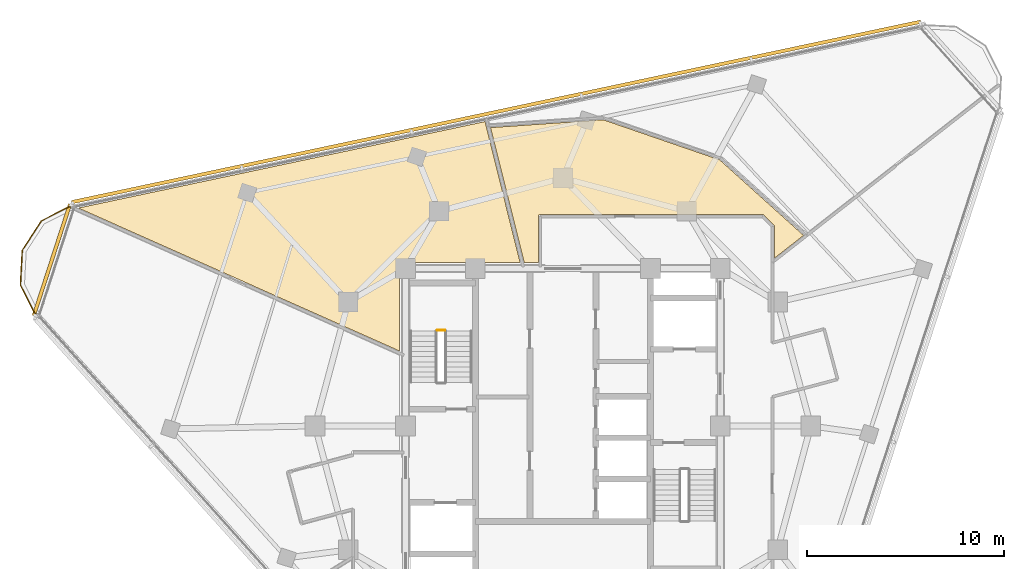
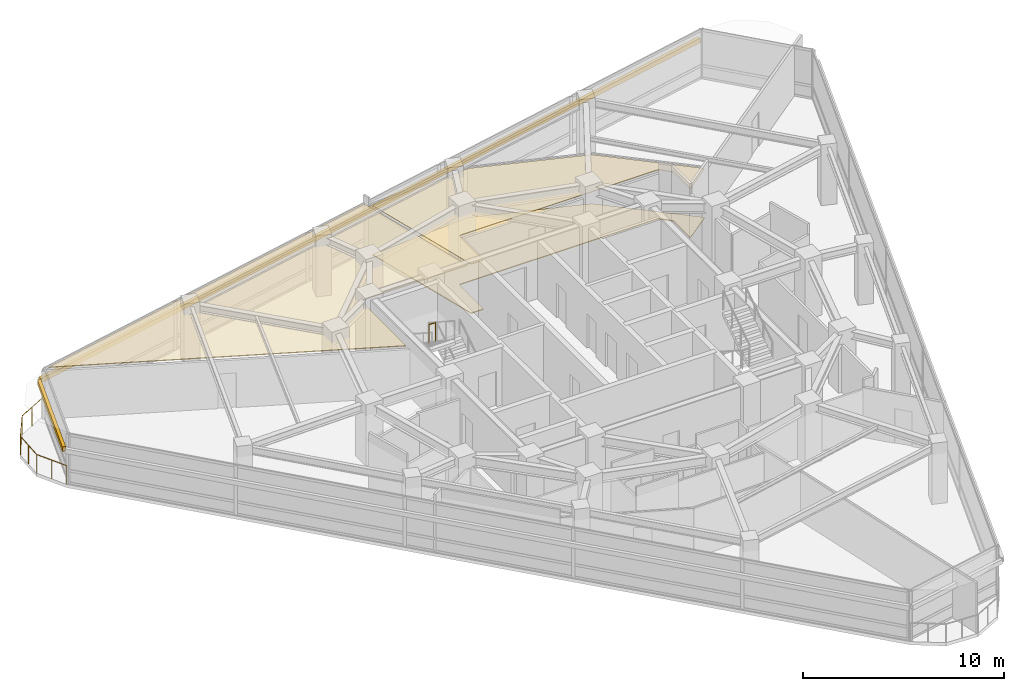
# One storey, part 14 of 15: 3 coverings, 2 railings, 2 shading devices.
"""IFC4 building model written with IfcOpenShell, lengths in metres."""

from ifc_helpers import new_model, si_unit, direction, frame, origin, origin_2d, place, context, subcontext, project, spatial, polyline, rectangle, circle, outline, extrude, material, layer, layer_set, type_object, element, save


model = new_model("IFC4")

# Units and contexts
model_context = context("Model", 3, precision=1e-05, world=origin(), true_north=direction((0.0, 1.0)))
body_context = subcontext(model_context, "Body", "Model", "MODEL_VIEW")
ifc_project = project(units=[si_unit("LENGTHUNIT", "METRE"), si_unit("AREAUNIT", "SQUARE_METRE"), si_unit("VOLUMEUNIT", "CUBIC_METRE"), si_unit("PLANEANGLEUNIT", "RADIAN"), si_unit("MASSUNIT", "GRAM", prefix="KILO")], contexts=[model_context])

# Site, building, storey
site_placement = place(None, origin())
site = spatial("IfcSite", under=ifc_project, at=site_placement, CompositionType="ELEMENT")
building_placement = place(site_placement, origin())
building = spatial("IfcBuilding", under=site, at=building_placement, Name="Terralouvre Media Tower", CompositionType="ELEMENT")
storey_placement = place(building_placement, frame((0.0, 0.0, 283.199951171875)))
storey = spatial("IfcBuildingStorey", under=building, at=storey_placement, Name="L73", CompositionType="ELEMENT", Elevation=283.199951171875)

# Coverings
ifc_material_1 = material(Name="Resilient elastomer acoustic broadcast studio flooring")
ifc_layer_1 = layer(ifc_material_1, 0.050048828125, Name="Broadcast Studio Acoustic Floating Floor FL-AC1")
ifc_layer_set_1 = layer_set([ifc_layer_1], Name="Resilient elastomer acoustic broadcast studio flooring")
covering_type_1 = type_object("IfcCoveringType", Name="Broadcast Studio Acoustic Floating Floor FL-AC1", PredefinedType="FLOORING", material=ifc_layer_set_1)
covering_1_placement = place(storey_placement, frame((0.0, 0.0, 0.0), z_axis=(0.0, 0.0, 1.0), x_axis=(0.309016994375, 0.951056516295, 0.0)))
element("IfcCovering", 1, at=covering_1_placement, inside=storey, type_object=covering_type_1, Name="L73 Media Reference Library 7 Acoustic Floating Floor", PredefinedType="FLOORING", context=body_context, shape_type="SweptSolid", body=[
    extrude(outline(polyline([(9.751953125, 4.482421875), (9.76171875, 4.484130859375), (9.771484375, 4.484619140625), (9.78125, 4.484375), (9.791015625, 4.483154296875), (9.800537109375, 4.48095703125), (9.809814453125, 4.477783203125), (9.81884765625, 4.473876953125), (9.827392578125, 4.468994140625), (9.835205078125, 4.46337890625), (9.8427734375, 4.456787109375), (9.849365234375, 4.44970703125), (9.85546875, 4.44189453125), (9.860595703125, 4.43359375), (9.864990234375, 4.4248046875), (9.868408203125, 4.41552734375), (13.3603515625, -6.331298828125), (13.363037109375, -6.3408203125), (13.364501953125, -6.350341796875), (13.365234375, -6.360107421875), (13.364990234375, -6.3701171875), (13.36376953125, -6.379638671875), (13.361572265625, -6.389404296875), (13.3583984375, -6.398681640625), (13.354248046875, -6.407470703125), (13.033447265625, -7.03759765625), (13.0283203125, -7.046142578125), (13.022705078125, -7.05419921875), (13.016357421875, -7.0615234375), (13.00927734375, -7.068359375), (13.00146484375, -7.07421875), (12.9931640625, -7.07958984375), (12.984375, -7.083740234375), (12.97509765625, -7.08740234375), (11.4306640625, -7.589111328125), (12.990966796875, -8.64208984375), (15.326171875, -3.3974609375), (15.43505859375, 2.861083984375), (13.28515625, 8.182861328125), (7.294921875, 4.4404296875), (7.51708984375, 3.7568359375), (9.742431640625, 4.479736328125), (9.751953125, 4.482421875)])), origin(), (0.0, 0.0, 1.0), 0.050048828125),
])
ifc_material_2 = material(Name="Perforated aluminium acoustic ceiling baffle", Category="aluminium")
ifc_layer_2 = layer(ifc_material_2, 0.0400390625, Name="Perforated Acoustic Metal Tile Ceiling CL-AC1")
ifc_layer_set_2 = layer_set([ifc_layer_2], Name="Perforated aluminium acoustic ceiling baffle")
covering_type_2 = type_object("IfcCoveringType", Name="Perforated Acoustic Metal Tile Ceiling CL-AC1", PredefinedType="CEILING", material=ifc_layer_set_2)
covering_2_placement = place(storey_placement, frame((0.0, 0.0, 2.97998046875), z_axis=(0.0, 0.0, 1.0), x_axis=(0.309016994375, 0.951056516295, 0.0)))
element("IfcCovering", 2, at=covering_2_placement, inside=storey, type_object=covering_type_2, Name="L73 Media Reference Library 7 Acoustic Ceiling", PredefinedType="CEILING", context=body_context, shape_type="SweptSolid", body=[
    extrude(outline(polyline([(9.751953125, 4.482421875), (9.76171875, 4.484130859375), (9.771484375, 4.484619140625), (9.78125, 4.484375), (9.791015625, 4.483154296875), (9.800537109375, 4.48095703125), (9.809814453125, 4.477783203125), (9.81884765625, 4.473876953125), (9.827392578125, 4.468994140625), (9.835205078125, 4.46337890625), (9.8427734375, 4.456787109375), (9.849365234375, 4.44970703125), (9.85546875, 4.44189453125), (9.860595703125, 4.43359375), (9.864990234375, 4.4248046875), (9.868408203125, 4.41552734375), (13.3603515625, -6.331298828125), (13.363037109375, -6.3408203125), (13.364501953125, -6.350341796875), (13.365234375, -6.360107421875), (13.364990234375, -6.3701171875), (13.36376953125, -6.379638671875), (13.361572265625, -6.389404296875), (13.3583984375, -6.398681640625), (13.354248046875, -6.407470703125), (13.033447265625, -7.03759765625), (13.0283203125, -7.046142578125), (13.022705078125, -7.05419921875), (13.016357421875, -7.0615234375), (13.00927734375, -7.068359375), (13.00146484375, -7.07421875), (12.9931640625, -7.07958984375), (12.984375, -7.083740234375), (12.97509765625, -7.08740234375), (11.4306640625, -7.589111328125), (12.990966796875, -8.64208984375), (15.326171875, -3.3974609375), (15.43505859375, 2.861083984375), (13.28515625, 8.182861328125), (7.294921875, 4.4404296875), (7.51708984375, 3.7568359375), (9.742431640625, 4.479736328125), (9.751953125, 4.482421875)])), origin(), (0.0, 0.0, 1.0), 0.0400390625),
])
covering_3_placement = place(storey_placement, frame((0.0, 0.0, 2.97998046875), z_axis=(0.0, 0.0, 1.0), x_axis=(0.309016994375, 0.951056516295, 0.0)))
element("IfcCovering", 3, at=covering_3_placement, inside=storey, type_object=covering_type_2, Name="L73 Periodicals Reading Club 8 Acoustic Ceiling", PredefinedType="CEILING", context=body_context, shape_type="SweptSolid", body=[
    extrude(outline(polyline([(1.0546875, 9.080322265625), (5.240234375, 10.4404296875), (5.249755859375, 10.44287109375), (5.25927734375, 10.444580078125), (5.26904296875, 10.445068359375), (5.279052734375, 10.44482421875), (5.28857421875, 10.443603515625), (5.29833984375, 10.44140625), (5.3076171875, 10.438232421875), (5.316650390625, 10.434326171875), (5.324951171875, 10.429443359375), (5.3330078125, 10.423828125), (5.340576171875, 10.417236328125), (5.34716796875, 10.41015625), (5.353271484375, 10.40234375), (5.3583984375, 10.39404296875), (5.36279296875, 10.38525390625), (5.3662109375, 10.376220703125), (7.231201171875, 4.636474609375), (13.280029296875, 8.415771484375), (13.489990234375, 8.547607421875), (2.922607421875, 26.850341796875), (1.0546875, 9.080322265625)])), origin(), (0.0, 0.0, 1.0), 0.0400390625),
])

# Railings
ifc_material_3 = material(Name="Stainless steel 316 handrail and balustrade", Category="steel")
ifc_layer_3 = layer(ifc_material_3, 0.06005859375, Name="Roof Edge Safety Guardrail GR-ROOF1")
ifc_layer_set_3 = layer_set([ifc_layer_3], Name="Stainless steel 316 handrail and balustrade")
railing_type_1 = type_object("IfcRailingType", Name="Roof Edge Safety Guardrail GR-ROOF1", PredefinedType="GUARDRAIL", material=ifc_layer_set_3)
railing_1_placement = place(storey_placement, frame((-24.927490234375, 11.230224609375, 0.0)))
element("IfcRailing", 4, at=railing_1_placement, inside=storey, type_object=railing_type_1, Name="L73 Wind-Corner Perimeter Safety Guardrail C2", PredefinedType="GUARDRAIL", context=body_context, shape_type="SweptSolid", body=[
    extrude(circle(Radius=0.02099609375, at=origin_2d()), frame((0.0, 0.0, 1.12890625), z_axis=(-0.891111697267, -0.453784026817, 0.0), x_axis=(0.453784026817, -0.891111697267, 0.0)), (0.0, 0.0, 1.0), 1.7802734375),
    extrude(circle(Radius=0.02099609375, at=origin_2d()), frame((-1.58642578125, -0.807861328125, 1.12890625), z_axis=(-0.544752056661, -0.838597160002, 0.0), x_axis=(0.838597160002, -0.544752056661, 0.0)), (0.0, 0.0, 1.0), 1.77978515625),
    extrude(circle(Radius=0.02099609375, at=origin_2d()), frame((-2.555908203125, -2.30029296875, 1.12890625), z_axis=(-0.052126837836, -0.998640472231, 0.0), x_axis=(0.998640472231, -0.052126837836, 0.0)), (0.0, 0.0, 1.0), 1.77978515625),
    extrude(circle(Radius=0.02099609375, at=origin_2d()), frame((-2.648681640625, -4.07763671875, 1.12890625), z_axis=(0.454221597143, -0.890888736425, 0.0), x_axis=(0.890888736425, 0.454221597143, 0.0)), (0.0, 0.0, 1.0), 1.7802734375),
    extrude(circle(Radius=0.01904296875, at=origin_2d()), origin(), (0.0, 0.0, 1.0), 1.10791015625),
    extrude(circle(Radius=0.01904296875, at=origin_2d()), frame((-0.793212890625, -0.40380859375, 0.0)), (0.0, 0.0, 1.0), 1.10791015625),
    extrude(circle(Radius=0.01904296875, at=origin_2d()), frame((-1.58642578125, -0.807861328125, 0.0)), (0.0, 0.0, 1.0), 1.10791015625),
    extrude(circle(Radius=0.01904296875, at=origin_2d()), frame((-2.0712890625, -1.55419921875, 0.0)), (0.0, 0.0, 1.0), 1.10791015625),
    extrude(circle(Radius=0.01904296875, at=origin_2d()), frame((-2.555908203125, -2.30029296875, 0.0)), (0.0, 0.0, 1.0), 1.10791015625),
    extrude(circle(Radius=0.01904296875, at=origin_2d()), frame((-2.602294921875, -3.18896484375, 0.0)), (0.0, 0.0, 1.0), 1.10791015625),
    extrude(circle(Radius=0.01904296875, at=origin_2d()), frame((-2.648681640625, -4.07763671875, 0.0)), (0.0, 0.0, 1.0), 1.10791015625),
    extrude(circle(Radius=0.01904296875, at=origin_2d()), frame((-2.244384765625, -4.87060546875, 0.0)), (0.0, 0.0, 1.0), 1.10791015625),
    extrude(circle(Radius=0.01904296875, at=origin_2d()), frame((-1.840087890625, -5.66357421875, 0.0)), (0.0, 0.0, 1.0), 1.10791015625),
])
ifc_material_4 = material(Name="Stainless steel 316 handrail and balustrade", Category="steel")
ifc_layer_4 = layer(ifc_material_4, 0.050048828125, Name="Stairwell Safety Guardrail GR-INT1")
ifc_layer_set_4 = layer_set([ifc_layer_4], Name="Stainless steel 316 handrail and balustrade")
railing_type_2 = type_object("IfcRailingType", Name="Stairwell Safety Guardrail GR-INT1", PredefinedType="GUARDRAIL", material=ifc_layer_set_4)
railing_2_placement = place(storey_placement, frame((-6.0, 4.8701171875, 1.85009765625)))
element("IfcRailing", 5, at=railing_2_placement, inside=storey, type_object=railing_type_2, Name="L73 ST-01 stair guard 2", PredefinedType="GUARDRAIL", context=body_context, shape_type="SweptSolid", body=[
    extrude(circle(Radius=0.02392578125, at=origin_2d()), frame((0.0, 0.0, 1.1259765625), z_axis=(-1.0, 0.0, 0.0), x_axis=(0.0, -1.0, 0.0)), (0.0, 0.0, 1.0), 0.3798828125),
    extrude(circle(Radius=0.02099609375, at=origin_2d()), origin(), (0.0, 0.0, 1.0), 1.101806640625),
    extrude(circle(Radius=0.02099609375, at=origin_2d()), frame((-0.3798828125, 0.0, 0.0)), (0.0, 0.0, 1.0), 1.101806640625),
])

# Shading devices
ifc_material_5 = material(Name="Extruded terracotta baguette sunshade louvres", Category="masonry")
shading_device_type = type_object("IfcShadingDeviceType", Name="Terracotta Baguette Sunshade Louvre Screen TB-LV1", PredefinedType="USERDEFINED", material=ifc_material_5)
shading_device_1_placement = place(storey_placement, frame((-3.392333984375, 15.959716796875, 2.02392578125), z_axis=(0.0, 0.0, 1.0), x_axis=(-0.978147616145, -0.207911618313, 0.0)))
element("IfcShadingDevice", 6, at=shading_device_1_placement, inside=storey, type_object=shading_device_type, Name="CW-L73-F1 Terracotta Baguette Sunshade Louvre", ObjectType="BAGUETTE", PredefinedType="USERDEFINED", context=body_context, shape_type="SweptSolid", body=[
    extrude(rectangle(XDim=44.1201171875, YDim=0.179931640625, at=origin_2d()), origin(), (0.0, 0.0, 1.0), 0.280029296875),
])
shading_device_2_placement = place(storey_placement, frame((-25.975830078125, 8.440185546875, 2.02392578125), z_axis=(0.0, 0.0, 1.0), x_axis=(-0.30901654693, -0.951056661679, 0.0)))
element("IfcShadingDevice", 7, at=shading_device_2_placement, inside=storey, type_object=shading_device_type, Name="CW-L73-C2 Terracotta Baguette Sunshade Louvre", ObjectType="BAGUETTE", PredefinedType="USERDEFINED", context=body_context, shape_type="SweptSolid", body=[
    extrude(rectangle(XDim=5.958251953125, YDim=0.179931640625, at=origin_2d()), origin(), (0.0, 0.0, 1.0), 0.280029296875),
])

save(model, "model.ifc")
